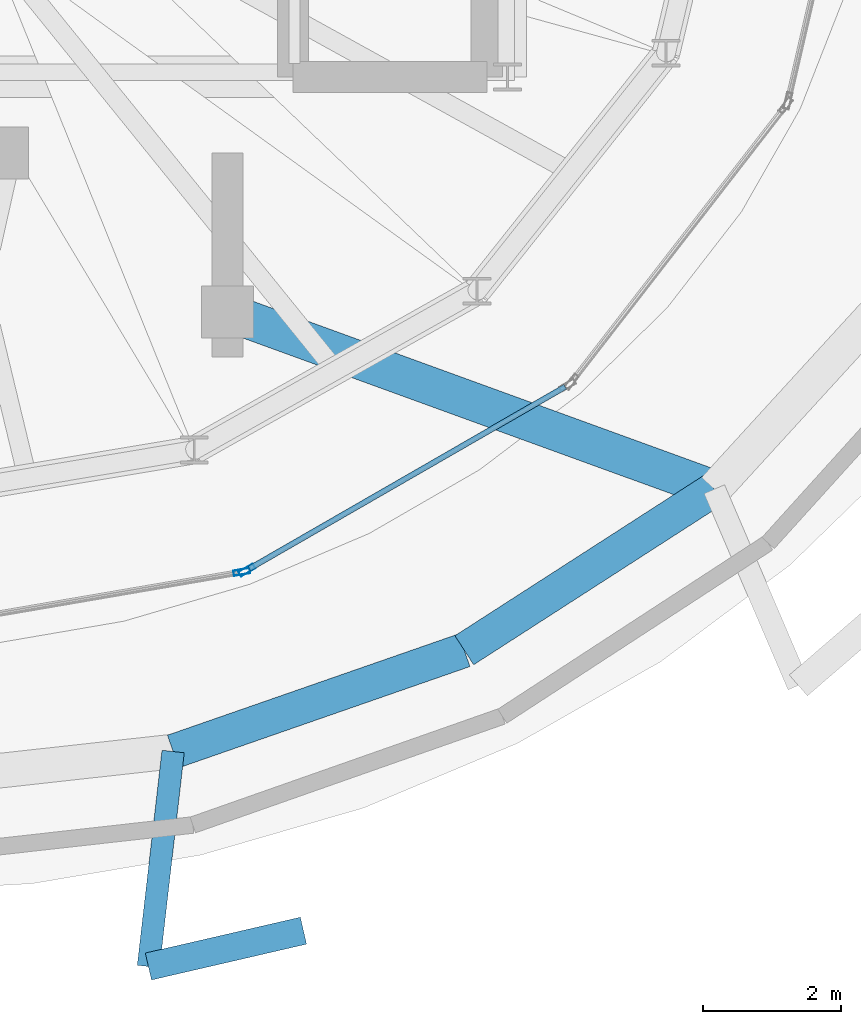
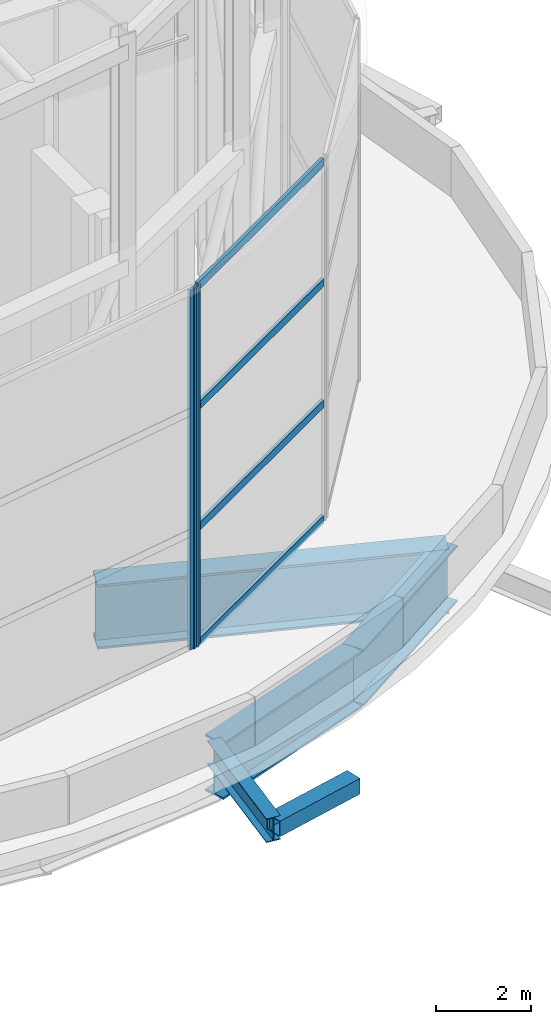
# One storey, part 6 of 22: 6 members, 5 beams, 2 elements without a shape of their own.
"""IFC4 building model written with IfcOpenShell, lengths in metres."""

from ifc_helpers import new_model, si_unit, direction, frame, origin, origin_2d, place, context, subcontext, project, spatial, hollow_rectangle, i_section, extrude, material, layer, layer_set, material_profile, profile_set, type_object, element, aggregate, save


model = new_model("IFC4")

# Units and contexts
model_context = context("Model", 3, precision=1e-05, world=origin(), true_north=direction((0.0, 1.0)))
body_context = subcontext(model_context, "Body", "Model", "MODEL_VIEW")
ifc_project = project(units=[si_unit("LENGTHUNIT", "METRE"), si_unit("AREAUNIT", "SQUARE_METRE"), si_unit("VOLUMEUNIT", "CUBIC_METRE"), si_unit("PLANEANGLEUNIT", "RADIAN"), si_unit("MASSUNIT", "GRAM", prefix="KILO")], contexts=[model_context])

# Site, building, storey
site_placement = place(None, origin())
site = spatial("IfcSite", under=ifc_project, at=site_placement, CompositionType="ELEMENT")
building_placement = place(site_placement, origin())
building = spatial("IfcBuilding", under=site, at=building_placement, Name="Nuhasar Tower", CompositionType="ELEMENT")
storey_placement = place(building_placement, frame((0.0, 0.0, 313.39990234375)))
storey = spatial("IfcBuildingStorey", under=building, at=storey_placement, Name="Roof Drum", CompositionType="ELEMENT", Elevation=313.39990234375)

# Beams
ifc_material_1 = material(Name="Steel S355", Category="steel")
ifc_material_profile_1 = material_profile(ifc_material_1, hollow_rectangle(XDim=0.39990234375, YDim=0.39990234375, WallThickness=0.01611328125, at=origin_2d()), Name="HSS400X400X16")
ifc_profile_set_1 = profile_set([ifc_material_profile_1], Name="Steel S355")
beam_type_1 = type_object("IfcBeamType", Name="BM-CRN-HSS400", PredefinedType="SPANDREL", material=ifc_profile_set_1)
beam_1_placement = place(storey_placement, frame((43.158935546875, 9.541015625, -0.619873046875), z_axis=(0.974303462715, 0.225239345014, 0.0), x_axis=(-0.225239345014, 0.974303462715, 0.0)))
element("IfcBeam", 1, at=beam_1_placement, inside=storey, type_object=beam_type_1, Name="Roof Drum Top Exoskeleton Collar Beam 10", PredefinedType="SPANDREL", context=body_context, shape_type="SweptSolid", body=[
    extrude(hollow_rectangle(XDim=0.39990234375, YDim=0.39990234375, WallThickness=0.01611328125, at=origin_2d()), origin(), (0.0, 0.0, 1.0), 2.300048828125),
])
ifc_material_profile_2 = material_profile(ifc_material_1, i_section(OverallWidth=0.323974609375, OverallDepth=0.611083984375, WebThickness=0.0126953125, FlangeThickness=0.01904296875, at=origin_2d()), Name="W24X104")
ifc_profile_set_2 = profile_set([ifc_material_profile_2], Name="Steel S355")
beam_type_2 = type_object("IfcBeamType", Name="BM-TIE-W24X104", PredefinedType="BEAM", material=ifc_profile_set_2)
beam_2_placement = place(storey_placement, frame((43.51611328125, 12.64892578125, -0.724853515625), z_axis=(-0.114173851429, -0.99346078516, 0.0), x_axis=(0.99346078516, -0.114173851429, 0.0)))
element("IfcBeam", 2, at=beam_2_placement, inside=storey, type_object=beam_type_2, Name="Roof Drum Top Exoskeleton Tie Beam 10", PredefinedType="BEAM", context=body_context, shape_type="SweptSolid", body=[
    extrude(i_section(OverallWidth=0.323974609375, OverallDepth=0.611083984375, WebThickness=0.0126953125, FlangeThickness=0.01904296875, at=origin_2d()), origin(), (0.0, 0.0, 1.0), 3.12841796875),
])
ifc_material_2 = material(Name="Steel S460", Category="steel")
ifc_material_profile_3 = material_profile(ifc_material_2, i_section(OverallWidth=0.5, OverallDepth=1.449951171875, WebThickness=0.028076171875, FlangeThickness=0.050048828125, at=origin_2d()), Name="PG1450X500")
ifc_profile_set_3 = profile_set([ifc_material_profile_3], Name="Steel S460")
beam_type_3 = type_object("IfcBeamType", Name="BM-XFER-PG1450", PredefinedType="USERDEFINED", material=ifc_profile_set_3)
beam_3_placement = place(storey_placement, frame((43.51611328125, 12.64892578125, -1.14501953125), z_axis=(0.944488666475, 0.328543998425, 0.0), x_axis=(-0.328543998425, 0.944488666475, 0.0)))
element("IfcBeam", 3, at=beam_3_placement, inside=storey, type_object=beam_type_3, Name="Roof Drum Outer Setback Spandrel 20", ObjectType="GIRDER", PredefinedType="USERDEFINED", context=body_context, shape_type="SweptSolid", body=[
    extrude(i_section(OverallWidth=0.5, OverallDepth=1.449951171875, WebThickness=0.028076171875, FlangeThickness=0.050048828125, at=origin_2d()), origin(), (0.0, 0.0, 1.0), 4.456298828125),
])
beam_4_placement = place(storey_placement, frame((47.72509765625, 14.113037109375, -1.14501953125), z_axis=(0.840692841322, 0.541512277377, 0.0), x_axis=(-0.541512277377, 0.840692841322, 0.0)))
element("IfcBeam", 4, at=beam_4_placement, inside=storey, type_object=beam_type_3, Name="Roof Drum Outer Setback Spandrel 21", ObjectType="GIRDER", PredefinedType="USERDEFINED", context=body_context, shape_type="SweptSolid", body=[
    extrude(i_section(OverallWidth=0.5, OverallDepth=1.449951171875, WebThickness=0.028076171875, FlangeThickness=0.050048828125, at=origin_2d()), origin(), (0.0, 0.0, 1.0), 4.298828125),
])
ifc_material_profile_4 = material_profile(ifc_material_2, i_section(OverallWidth=0.550048828125, OverallDepth=1.64990234375, WebThickness=0.031982421875, FlangeThickness=0.054931640625, at=origin_2d()), Name="PG1650X550")
ifc_profile_set_4 = profile_set([ifc_material_profile_4], Name="Steel S460")
beam_type_4 = type_object("IfcBeamType", Name="BM-XFER-PG1650", PredefinedType="USERDEFINED", material=ifc_profile_set_4)
beam_5_placement = place(storey_placement, frame((44.300048828125, 19.0, -1.244873046875), z_axis=(0.939818165705, -0.341675014321, 0.0), x_axis=(0.341675014321, 0.939818165705, 0.0)))
element("IfcBeam", 5, at=beam_5_placement, inside=storey, type_object=beam_type_4, Name="Roof Drum Primary Radial Transfer Girder 03", ObjectType="GIRDER", PredefinedType="USERDEFINED", context=body_context, shape_type="SweptSolid", body=[
    extrude(i_section(OverallWidth=0.550048828125, OverallDepth=1.64990234375, WebThickness=0.031982421875, FlangeThickness=0.054931640625, at=origin_2d()), origin(), (0.0, 0.0, 1.0), 7.48974609375),
])

# Curtain wall, member
ifc_material_3 = material(Name="Aluminium 6063-T6", Category="aluminium")
ifc_layer = layer(ifc_material_3, 0.219970703125)
ifc_layer_set = layer_set([ifc_layer], Name="Aluminium 6063-T6")
curtain_wall_type = type_object("IfcCurtainWallType", Name="CW-CROWN", PredefinedType="NOTDEFINED", material=ifc_layer_set)
curtain_wall_1_placement = place(storey_placement, origin())
curtain_wall_1 = element("IfcCurtainWall", 6, at=curtain_wall_1_placement, inside=storey, type_object=curtain_wall_type, Name="Crown Lantern Curtain Wall 13", PredefinedType="NOTDEFINED")
ifc_material_profile_5 = material_profile(ifc_material_3, hollow_rectangle(XDim=0.080078125, YDim=0.239990234375, WallThickness=0.0048828125, at=origin_2d()), Name="CWM-7")
ifc_profile_set_5 = profile_set([ifc_material_profile_5], Name="Aluminium 6063-T6")
member_type_1 = type_object("IfcMemberType", Name="CW-MUL-S7", PredefinedType="MULLION", material=ifc_profile_set_5)
member_1_placement = place(storey_placement, frame((44.509521484375, 15.2451171875, 0.0), z_axis=(0.0, 0.0, 1.0), x_axis=(-0.169091991353, 0.985600273164, 0.0)))
member_1 = element("IfcMember", 7, at=member_1_placement, type_object=member_type_1, Name="CW-CR mullion 2", PredefinedType="MULLION", context=body_context, shape_type="SweptSolid", body=[
    extrude(hollow_rectangle(XDim=0.080078125, YDim=0.239990234375, WallThickness=0.0048828125, at=origin_2d()), origin(), (0.0, 0.0, 1.0), 9.22021484375),
])
aggregate(curtain_wall_1, [member_1])

# Curtain wall, members
curtain_wall_2_placement = place(storey_placement, origin())
curtain_wall_2 = element("IfcCurtainWall", 8, at=curtain_wall_2_placement, inside=storey, type_object=curtain_wall_type, Name="Crown Lantern Curtain Wall 14", PredefinedType="NOTDEFINED")
member_2_placement = place(storey_placement, frame((44.583740234375, 15.27197265625, 0.0), z_axis=(0.0, 0.0, 1.0), x_axis=(-0.499052486842, 0.866571760085, 0.0)))
member_2 = element("IfcMember", 9, at=member_2_placement, type_object=member_type_1, Name="CW-CR mullion 1", PredefinedType="MULLION", context=body_context, shape_type="SweptSolid", body=[
    extrude(hollow_rectangle(XDim=0.080078125, YDim=0.239990234375, WallThickness=0.0048828125, at=origin_2d()), origin(), (0.0, 0.0, 1.0), 9.22021484375),
])
ifc_material_profile_6 = material_profile(ifc_material_3, hollow_rectangle(XDim=0.080078125, YDim=0.199951171875, WallThickness=0.00439453125, at=origin_2d()), Name="CWT-7")
ifc_profile_set_6 = profile_set([ifc_material_profile_6], Name="Aluminium 6063-T6")
member_type_2 = type_object("IfcMemberType", Name="CW-TRN-S7", PredefinedType="USERDEFINED", material=ifc_profile_set_6)
member_3_placement = place(storey_placement, frame((44.618408203125, 15.2919921875, 0.0400390625), z_axis=(0.866564154904, 0.499065692505, 0.0), x_axis=(-0.499065692505, 0.866564154904, 0.0)))
member_3 = element("IfcMember", 10, at=member_3_placement, type_object=member_type_2, Name="CW-CR transom 1.1", ObjectType="TRANSOM", PredefinedType="USERDEFINED", context=body_context, shape_type="SweptSolid", body=[
    extrude(hollow_rectangle(XDim=0.080078125, YDim=0.199951171875, WallThickness=0.00439453125, at=origin_2d()), origin(), (0.0, 0.0, 1.0), 5.26806640625),
])
member_4_placement = place(storey_placement, frame((44.618408203125, 15.2919921875, 3.0), z_axis=(0.866564154904, 0.499065692505, 0.0), x_axis=(-0.499065692505, 0.866564154904, 0.0)))
member_4 = element("IfcMember", 11, at=member_4_placement, type_object=member_type_2, Name="CW-CR transom 1.2", ObjectType="TRANSOM", PredefinedType="USERDEFINED", context=body_context, shape_type="SweptSolid", body=[
    extrude(hollow_rectangle(XDim=0.080078125, YDim=0.199951171875, WallThickness=0.00439453125, at=origin_2d()), origin(), (0.0, 0.0, 1.0), 5.26806640625),
])
member_5_placement = place(storey_placement, frame((44.618408203125, 15.2919921875, 6.10009765625), z_axis=(0.866564154904, 0.499065692505, 0.0), x_axis=(-0.499065692505, 0.866564154904, 0.0)))
member_5 = element("IfcMember", 12, at=member_5_placement, type_object=member_type_2, Name="CW-CR transom 1.3", ObjectType="TRANSOM", PredefinedType="USERDEFINED", context=body_context, shape_type="SweptSolid", body=[
    extrude(hollow_rectangle(XDim=0.080078125, YDim=0.199951171875, WallThickness=0.00439453125, at=origin_2d()), origin(), (0.0, 0.0, 1.0), 5.26806640625),
])
member_6_placement = place(storey_placement, frame((44.618408203125, 15.2919921875, 9.18017578125), z_axis=(0.866564154904, 0.499065692505, 0.0), x_axis=(-0.499065692505, 0.866564154904, 0.0)))
member_6 = element("IfcMember", 13, at=member_6_placement, type_object=member_type_2, Name="CW-CR transom 1.4", ObjectType="TRANSOM", PredefinedType="USERDEFINED", context=body_context, shape_type="SweptSolid", body=[
    extrude(hollow_rectangle(XDim=0.080078125, YDim=0.199951171875, WallThickness=0.00439453125, at=origin_2d()), origin(), (0.0, 0.0, 1.0), 5.26806640625),
])
aggregate(curtain_wall_2, [member_2, member_3, member_4, member_5, member_6])

save(model, "model.ifc")
